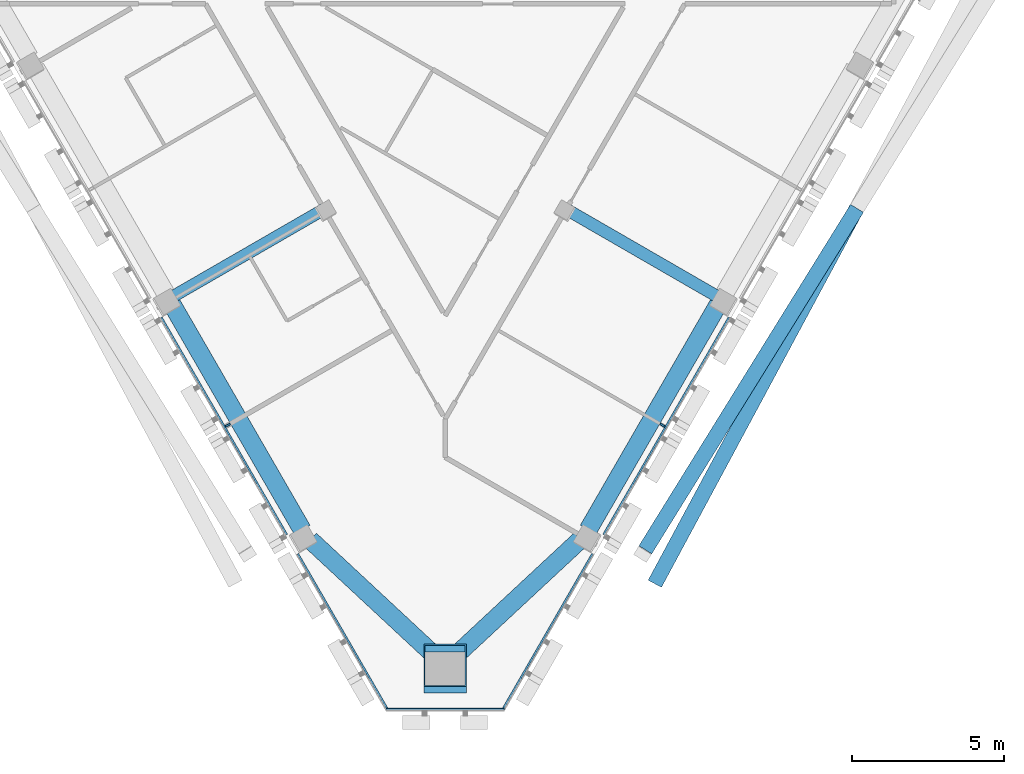
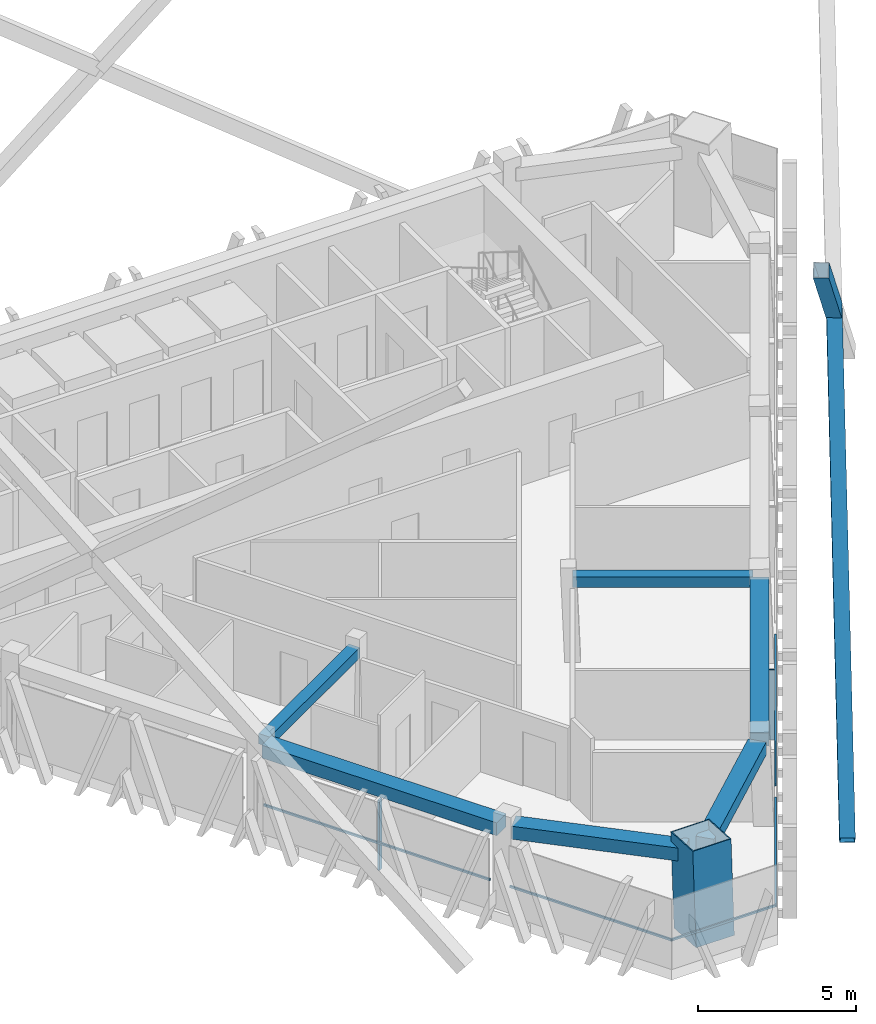
# One storey, part 2 of 12: 10 members, 6 beams, 3 elements without a shape of their own.
"""IFC4 building model written with IfcOpenShell, lengths in metres."""

import ifcopenshell
import ifcopenshell.guid

model = None  # the IFC model being written
_history = None  # IfcOwnerHistory: only IFC2X3 demands one
_inside = {}  # id of a spatial element -> (the spatial element, [elements in it])
_under = {}  # id of a project, library or spatial element -> (it, [spatial elements below it])
_declared = {}  # id of a project -> (the project, [libraries it declares])
_typed = {}  # id of a type object -> (the type object, [elements of that type])
_made_of = {}  # id of a material, layer set ... -> (it, [elements and type objects made of it])


def new_model(schema):
    """Start an empty IFC model of exactly this schema.

    Asked for "IFC4X3", IfcOpenShell would pick the latest addendum, in which some entities
    have other attributes; the version numbers below select the first issue.
    IFC2X3 requires an IfcOwnerHistory on every rooted entity: one is made here for all.
    """
    global model, _history
    if schema == "IFC4X3":
        model = ifcopenshell.file(schema_version=(4, 3, 0, 0))
    else:
        model = ifcopenshell.file(schema=schema)
    _inside.clear()
    _under.clear()
    _declared.clear()
    _typed.clear()
    _made_of.clear()
    _history = None
    if model.schema == "IFC2X3":
        org = make("IfcOrganization", Name="unknown")
        user = make(
            "IfcPersonAndOrganization",
            ThePerson=make("IfcPerson", FamilyName="unknown"),
            TheOrganization=org,
        )
        app = make(
            "IfcApplication",
            ApplicationDeveloper=org,
            Version="unknown",
            ApplicationFullName="unknown",
            ApplicationIdentifier="unknown",
        )
        _history = make(
            "IfcOwnerHistory",
            OwningUser=user,
            OwningApplication=app,
            ChangeAction="ADDED",
            CreationDate=0,
        )
    return model


def make(cls, **values):
    """One entity of the class cls with the attributes given. An attribute that is None is left unset."""
    return model.create_entity(
        cls, **{name: value for name, value in values.items() if value is not None}
    )


def rooted(cls, **values):
    """An entity with a GlobalId (a new one), such as an element, a storey or a relation."""
    return make(cls, GlobalId=ifcopenshell.guid.new(), OwnerHistory=_history, **values)


def si_unit(unit_type, name, prefix=None):
    """IfcSIUnit, for example si_unit("LENGTHUNIT", "METRE", prefix="MILLI")."""
    return make("IfcSIUnit", UnitType=unit_type, Prefix=prefix, Name=name)


def assignment(units):
    """IfcUnitAssignment: the units of a project."""
    return None if units is None else make("IfcUnitAssignment", Units=units)


def point(xyz):
    """IfcCartesianPoint."""
    return None if xyz is None else make("IfcCartesianPoint", Coordinates=xyz)


def direction(xyz):
    """IfcDirection."""
    return None if xyz is None else make("IfcDirection", DirectionRatios=xyz)


def frame(location, z_axis=None, x_axis=None):
    """IfcAxis2Placement3D, a coordinate frame: its origin and axes. An axis left out is left unset."""
    return make(
        "IfcAxis2Placement3D",
        Location=point(location),
        Axis=direction(z_axis),
        RefDirection=direction(x_axis),
    )


def frame_2d(location, x_axis=None):
    """IfcAxis2Placement2D, a coordinate frame in the plane: its origin and x axis."""
    return make(
        "IfcAxis2Placement2D", Location=point(location), RefDirection=direction(x_axis)
    )


def origin():
    """The frame at (0, 0, 0) with its axes left unset."""
    return frame((0.0, 0.0, 0.0))


def origin_2d():
    """The frame at (0, 0) in the plane with its x axis left unset."""
    return frame_2d((0.0, 0.0))


def place(relative_to, where):
    """IfcLocalPlacement: puts the frame where relative to a parent placement (None: the world)."""
    return make(
        "IfcLocalPlacement", PlacementRelTo=relative_to, RelativePlacement=where
    )


def context(
    kind, dimensions, precision=None, world=None, true_north=None, identifier=None
):
    """IfcGeometricRepresentationContext, for example the 3D "Model" context."""
    return make(
        "IfcGeometricRepresentationContext",
        ContextIdentifier=identifier,
        ContextType=kind,
        CoordinateSpaceDimension=dimensions,
        Precision=precision,
        WorldCoordinateSystem=world,
        TrueNorth=true_north,
    )


def subcontext(parent, identifier, kind, view, scale=None):
    """IfcGeometricRepresentationSubContext, for example "Body" below "Model"."""
    return make(
        "IfcGeometricRepresentationSubContext",
        ContextIdentifier=identifier,
        ContextType=kind,
        ParentContext=parent,
        TargetScale=scale,
        TargetView=view,
    )


def project(units=None, contexts=None):
    """IfcProject with its units and contexts."""
    return rooted(
        "IfcProject",
        Name="project",
        RepresentationContexts=contexts,
        UnitsInContext=assignment(units),
    )


def spatial(cls, under=None, at=None, **own):
    """A site, building, storey or space (cls), placed at a placement, below another one or the project."""
    s = rooted(cls, ObjectPlacement=at, **own)
    if under is not None:
        _under.setdefault(under.id(), (under, []))[1].append(s)
    return s


def profile(cls, at=None, kind="AREA", **sizes):
    """A parametric profile (cls). Its sizes go by their IFC names, for example OverallWidth=200.0."""
    return make(cls, ProfileType=kind, Position=at, **sizes)


def rectangle(**sizes):
    """IfcRectangleProfileDef."""
    return profile("IfcRectangleProfileDef", **sizes)


def hollow_rectangle(**sizes):
    """IfcRectangleHollowProfileDef."""
    return profile("IfcRectangleHollowProfileDef", **sizes)


def extrude(swept, where, along, depth):
    """IfcExtrudedAreaSolid: the profile swept, set in the frame where, extruded along a direction by depth."""
    return make(
        "IfcExtrudedAreaSolid",
        SweptArea=swept,
        Position=where,
        ExtrudedDirection=direction(along),
        Depth=depth,
    )


def shape(context_of_items, identifier, shape_type, items):
    """IfcShapeRepresentation: the items that make up one representation, for example the "Body"."""
    return make(
        "IfcShapeRepresentation",
        ContextOfItems=context_of_items,
        RepresentationIdentifier=identifier,
        RepresentationType=shape_type,
        Items=items,
    )


def material(Name=None, Category=None):
    """IfcMaterial."""
    return make("IfcMaterial", Name=Name, Category=Category)


def layer(
    of_material, thickness, ventilated=None, Name=None, Category=None, Priority=None
):
    """IfcMaterialLayer: one layer of a wall or slab, of a material (None: an air gap)."""
    return make(
        "IfcMaterialLayer",
        Material=of_material,
        LayerThickness=thickness,
        IsVentilated=ventilated,
        Name=Name,
        Category=Category,
        Priority=Priority,
    )


def layer_set(layers, Name=None):
    """IfcMaterialLayerSet."""
    return make("IfcMaterialLayerSet", MaterialLayers=layers, LayerSetName=Name)


def material_profile(
    of_material, cross_section, Name=None, Category=None, Priority=None
):
    """IfcMaterialProfile: a cross section and its material."""
    return make(
        "IfcMaterialProfile",
        Name=Name,
        Material=of_material,
        Profile=cross_section,
        Priority=Priority,
        Category=Category,
    )


def profile_set(profiles, Name=None, composite=None):
    """IfcMaterialProfileSet."""
    return make(
        "IfcMaterialProfileSet",
        Name=Name,
        MaterialProfiles=profiles,
        CompositeProfile=composite,
    )


def made_of(thing, what):
    """Note that an element or type object is made of a material, layer set ...; save() writes the relation."""
    if what is not None:
        _made_of.setdefault(what.id(), (what, []))[1].append(thing)
    return thing


def type_object(cls, material=None, **own):
    """A type object (cls), such as IfcWallType, which elements share."""
    return made_of(rooted(cls, **own), material)


def element(
    cls,
    number,
    at=None,
    inside=None,
    cuts=None,
    type_object=None,
    material=None,
    context=None,
    identifier="Body",
    shape_type=None,
    held_by="IfcProductDefinitionShape",
    body=None,
    shapes=None,
    **own,
):
    """One element of the class cls, such as IfcWall. Its Tag is "e" and its number.

    at: its placement. inside: the storey or other place that contains it. cuts: it is an
    opening in that element (IfcRelVoidsElement). A single representation is given by context,
    identifier, shape_type and body (its items); several are given by shapes. held_by: the class
    of the entity that holds the representations. save() writes the other relations.
    """
    e = rooted(cls, Tag="e%d" % number, ObjectPlacement=at, **own)
    if body is not None:
        shapes = [shape(context, identifier, shape_type, body)]
    if shapes is not None:
        e.Representation = make(held_by, Representations=shapes)
    if inside is not None:
        _inside.setdefault(inside.id(), (inside, []))[1].append(e)
    if cuts is not None:
        rooted(
            "IfcRelVoidsElement", RelatingBuildingElement=cuts, RelatedOpeningElement=e
        )
    if type_object is not None:
        _typed.setdefault(type_object.id(), (type_object, []))[1].append(e)
    return made_of(e, material)


def aggregate(whole, parts):
    """IfcRelAggregates: a whole, such as a stair, and the parts it consists of."""
    return rooted("IfcRelAggregates", RelatingObject=whole, RelatedObjects=parts)


def save(model, path):
    """Write the relations noted so far, then the file.

    IfcRelAggregates (storeys below a building ...), IfcRelContainedInSpatialStructure (elements
    in a storey), IfcRelDefinesByType, IfcRelAssociatesMaterial and IfcRelDeclares: one each for
    every whole, place, type object, material and project.
    """
    for whole, parts in _under.values():
        aggregate(whole, parts)
    for where, things in _inside.values():
        rooted(
            "IfcRelContainedInSpatialStructure",
            RelatedElements=things,
            RelatingStructure=where,
        )
    for kind, things in _typed.values():
        rooted("IfcRelDefinesByType", RelatedObjects=things, RelatingType=kind)
    for what, things in _made_of.values():
        rooted("IfcRelAssociatesMaterial", RelatedObjects=things, RelatingMaterial=what)
    for by, libraries in _declared.values():
        rooted("IfcRelDeclares", RelatingContext=by, RelatedDefinitions=libraries)
    model.write(path)


model = new_model("IFC4")

# Units and contexts
model_context = context("Model", 3, precision=1e-05, world=origin(), true_north=direction((0.0, 1.0)))
body_context = subcontext(model_context, "Body", "Model", "MODEL_VIEW")
ifc_project = project(units=[si_unit("LENGTHUNIT", "METRE"), si_unit("AREAUNIT", "SQUARE_METRE"), si_unit("VOLUMEUNIT", "CUBIC_METRE"), si_unit("PLANEANGLEUNIT", "RADIAN"), si_unit("MASSUNIT", "GRAM", prefix="KILO")], contexts=[model_context])

# Site, building, storey
site_placement = place(None, origin())
site = spatial("IfcSite", under=ifc_project, at=site_placement, CompositionType="ELEMENT")
building_placement = place(site_placement, origin())
building = spatial("IfcBuilding", under=site, at=building_placement, Name="Altiplano Prism Tower", CompositionType="ELEMENT")
storey_placement = place(building_placement, frame((0.0, 0.0, 313.0)))
storey = spatial("IfcBuildingStorey", under=building, at=storey_placement, Name="L81", CompositionType="ELEMENT", Elevation=313.0)

# Curtain wall, member
ifc_material_1 = material(Name="Aluminium and glass", Category="aluminium")
ifc_layer = layer(ifc_material_1, 0.280029296875)
ifc_layer_set = layer_set([ifc_layer], Name="Aluminium and glass")
curtain_wall_type = type_object("IfcCurtainWallType", Name="CW1 typical co-living unitised curtain wall", PredefinedType="NOTDEFINED", material=ifc_layer_set)
curtain_wall_1_placement = place(storey_placement, origin())
curtain_wall_1 = element("IfcCurtainWall", 1, at=curtain_wall_1_placement, inside=storey, type_object=curtain_wall_type, Name="CW1 curtain wall south-west face L81", PredefinedType="NOTDEFINED")
ifc_material_2 = material(Name="Aluminium", Category="aluminium")
ifc_material_profile_1 = material_profile(ifc_material_2, rectangle(XDim=0.179931640625, YDim=0.06494140625, at=origin_2d()), Name="CW1 mullion 65 x 180")
ifc_profile_set_1 = profile_set([ifc_material_profile_1], Name="Aluminium")
member_type_1 = type_object("IfcMemberType", Name="CW1 mullion 65 x 180", PredefinedType="MULLION", material=ifc_profile_set_1)
member_1_placement = place(storey_placement, frame((77.832763671875, 76.807373046875, 0.0), z_axis=(0.0, 0.0, 1.0), x_axis=(0.866025401463, 0.500000004021, 0.0)))
member_1 = element("IfcMember", 2, at=member_1_placement, type_object=member_type_1, Name="CW1 mullion", PredefinedType="MULLION", context=body_context, shape_type="SweptSolid", body=[
    extrude(rectangle(XDim=0.179931640625, YDim=0.06494140625, at=origin_2d()), origin(), (0.0, 0.0, 1.0), 2.699951171875),
])

curtain_wall_2_placement = place(storey_placement, origin())
curtain_wall_2 = element("IfcCurtainWall", 3, at=curtain_wall_2_placement, inside=storey, type_object=curtain_wall_type, Name="CW1 curtain wall south-east face L81", PredefinedType="NOTDEFINED")
member_2_placement = place(storey_placement, frame((92.167236328125, 76.807373046875, 0.0), z_axis=(0.0, 0.0, 1.0), x_axis=(-0.866025401463, 0.500000004021, 0.0)))
member_2 = element("IfcMember", 4, at=member_2_placement, type_object=member_type_1, Name="CW1 mullion", PredefinedType="MULLION", context=body_context, shape_type="SweptSolid", body=[
    extrude(rectangle(XDim=0.179931640625, YDim=0.06494140625, at=origin_2d()), origin(), (0.0, 0.0, 1.0), 2.699951171875),
])

# Member
ifc_material_profile_2 = material_profile(ifc_material_2, rectangle(XDim=0.06005859375, YDim=0.080078125, at=origin_2d()), Name="CW1 transom 80 x 60")
ifc_profile_set_2 = profile_set([ifc_material_profile_2], Name="Aluminium")
member_type_2 = type_object("IfcMemberType", Name="CW1 transom 80 x 60", PredefinedType="USERDEFINED", material=ifc_profile_set_2)
member_3_placement = place(storey_placement, frame((75.6416015625, 80.36279296875, 1.10009765625), z_axis=(0.499996734306, -0.866027289225, 0.0), x_axis=(0.866027289225, 0.499996734306, 0.0)))
member_3 = element("IfcMember", 5, at=member_3_placement, type_object=member_type_2, Name="CW1 transom", ObjectType="TRANSOM", PredefinedType="USERDEFINED", context=body_context, shape_type="SweptSolid", body=[
    extrude(rectangle(XDim=0.06005859375, YDim=0.080078125, at=origin_2d()), origin(), (0.0, 0.0, 1.0), 8.27001953125),
])

member_4_placement = place(storey_placement, frame((80.1416015625, 72.568359375, 1.10009765625), z_axis=(0.500020661261, -0.866013474671, 0.0), x_axis=(0.866013474671, 0.500020661261, 0.0)))
member_4 = element("IfcMember", 6, at=member_4_placement, type_object=member_type_2, Name="CW1 transom", ObjectType="TRANSOM", PredefinedType="USERDEFINED", context=body_context, shape_type="SweptSolid", body=[
    extrude(rectangle(XDim=0.06005859375, YDim=0.080078125, at=origin_2d()), origin(), (0.0, 0.0, 1.0), 5.952880859375),
])

aggregate(curtain_wall_1, [member_1, member_3, member_4])

# Curtain wall, member
curtain_wall_3_placement = place(storey_placement, origin())
curtain_wall_3 = element("IfcCurtainWall", 7, at=curtain_wall_3_placement, inside=storey, type_object=curtain_wall_type, Name="CW1 curtain wall south chamfer L81", PredefinedType="NOTDEFINED")
member_5_placement = place(storey_placement, frame((83.057373046875, 67.447998046875, 1.10009765625), z_axis=(1.0, 0.0, 0.0), x_axis=(0.0, 1.0, 0.0)))
member_5 = element("IfcMember", 8, at=member_5_placement, type_object=member_type_2, Name="CW1 transom", ObjectType="TRANSOM", PredefinedType="USERDEFINED", context=body_context, shape_type="SweptSolid", body=[
    extrude(rectangle(XDim=0.06005859375, YDim=0.080078125, at=origin_2d()), origin(), (0.0, 0.0, 1.0), 3.88525390625),
])
aggregate(curtain_wall_3, [member_5])

# Member
member_6_placement = place(storey_placement, frame((86.8818359375, 67.4130859375, 1.10009765625), z_axis=(0.500020661261, 0.866013474671, 0.0), x_axis=(-0.866013474671, 0.500020661261, 0.0)))
member_6 = element("IfcMember", 9, at=member_6_placement, type_object=member_type_2, Name="CW1 transom", ObjectType="TRANSOM", PredefinedType="USERDEFINED", context=body_context, shape_type="SweptSolid", body=[
    extrude(rectangle(XDim=0.06005859375, YDim=0.080078125, at=origin_2d()), origin(), (0.0, 0.0, 1.0), 5.952880859375),
])

member_7_placement = place(storey_placement, frame((90.223388671875, 73.20068359375, 1.10009765625), z_axis=(0.499996734306, 0.866027289225, 0.0), x_axis=(-0.866027289225, 0.499996734306, 0.0)))
member_7 = element("IfcMember", 10, at=member_7_placement, type_object=member_type_2, Name="CW1 transom", ObjectType="TRANSOM", PredefinedType="USERDEFINED", context=body_context, shape_type="SweptSolid", body=[
    extrude(rectangle(XDim=0.06005859375, YDim=0.080078125, at=origin_2d()), origin(), (0.0, 0.0, 1.0), 8.27001953125),
])

aggregate(curtain_wall_2, [member_6, member_2, member_7])

# Beams
ifc_material_3 = material(Name="Concrete C60/75", Category="concrete")
ifc_material_profile_3 = material_profile(ifc_material_3, rectangle(XDim=0.60009765625, YDim=0.5, at=origin_2d()), Name="Edge beam 600x500")
ifc_profile_set_3 = profile_set([ifc_material_profile_3], Name="Concrete C60/75")
beam_type_1 = type_object("IfcBeamType", Name="Edge beam 600x500", PredefinedType="SPANDREL", material=ifc_profile_set_3)
beam_1_placement = place(storey_placement, frame((75.990478515625, 80.795654296875, 2.949951171875), z_axis=(0.499990619765, -0.866030819398, 0.0), x_axis=(0.866030819398, 0.499990619765, 0.0)))
element("IfcBeam", 11, at=beam_1_placement, inside=storey, type_object=beam_type_1, Name="Edge beam P13-P14 L82", PredefinedType="SPANDREL", context=body_context, shape_type="SweptSolid", body=[
    extrude(rectangle(XDim=0.60009765625, YDim=0.5, at=origin_2d()), origin(), (0.0, 0.0, 1.0), 8.590087890625),
])
for number, where, z_axis, x_axis, name in (
    (12, (80.549072265625, 73.029052734375, 2.949951171875), (0.732170641479, -0.681121246003, 0.0), (0.681121246003, 0.732170641479, 0.0), "Edge beam P14-M1 L82"),
    (13, (85.32958984375, 69.195068359375, 2.949951171875), (0.732170641479, 0.681121246003, 0.0), (-0.681121246003, 0.732170641479, 0.0), "Edge beam M1-P21 L82"),
):
    element("IfcBeam", number, at=place(storey_placement, frame(where, z_axis=z_axis, x_axis=x_axis)), inside=storey, type_object=beam_type_1, Name=name, PredefinedType="SPANDREL", context=body_context, shape_type="SweptSolid", body=[
        extrude(rectangle(XDim=0.60009765625, YDim=0.5, at=origin_2d()), origin(), (0.0, 0.0, 1.0), 5.62890625),
    ])
beam_2_placement = place(storey_placement, frame((89.714599609375, 73.3564453125, 2.949951171875), z_axis=(0.499990619765, 0.866030819398, 0.0), x_axis=(-0.866030819398, 0.499990619765, 0.0)))
element("IfcBeam", 14, at=beam_2_placement, inside=storey, type_object=beam_type_1, Name="Edge beam P21-P22 L82", PredefinedType="SPANDREL", context=body_context, shape_type="SweptSolid", body=[
    extrude(rectangle(XDim=0.60009765625, YDim=0.5, at=origin_2d()), origin(), (0.0, 0.0, 1.0), 8.590087890625),
])

# Members
ifc_material_4 = material(Name="Steel S355", Category="steel")
ifc_material_profile_4 = material_profile(ifc_material_4, hollow_rectangle(XDim=0.5, YDim=0.5, WallThickness=0.02490234375, at=origin_2d()), Name="Mega brace Box 500x500x25")
ifc_profile_set_4 = profile_set([ifc_material_profile_4], Name="Steel S355")
member_type_3 = type_object("IfcMemberType", Name="Mega brace Box 500x500x25", PredefinedType="BRACE", material=ifc_profile_set_4)
member_8_placement = place(storey_placement, frame((91.987060546875, 71.71533203125, -0.75), z_axis=(0.371738044447, 0.69133656944, 0.619568054427), x_axis=(-0.880747542721, 0.47358607031, 0.0)))
element("IfcMember", 15, at=member_8_placement, inside=storey, type_object=member_type_3, Name="Mega brace 9.2.1", PredefinedType="BRACE", context=body_context, shape_type="SweptSolid", body=[
    extrude(hollow_rectangle(XDim=0.5, YDim=0.5, WallThickness=0.02490234375, at=origin_2d()), origin(), (0.0, 0.0, 1.0), 17.512451171875),
])
member_9_placement = place(storey_placement, frame((98.4970703125, 83.822265625, 10.10009765625), z_axis=(-0.407855730164, -0.657927544289, 0.633075864204), x_axis=(0.849937025119, -0.526884288371, 0.0)))
element("IfcMember", 16, at=member_9_placement, inside=storey, type_object=member_type_3, Name="Mega brace 9.2.4", PredefinedType="BRACE", context=body_context, shape_type="SweptSolid", body=[
    extrude(hollow_rectangle(XDim=0.5, YDim=0.5, WallThickness=0.02490234375, at=origin_2d()), origin(), (0.0, 0.0, 1.0), 17.11328125),
])
ifc_material_5 = material(Name="Steel S460", Category="steel")
ifc_material_profile_5 = material_profile(ifc_material_5, hollow_rectangle(XDim=1.39990234375, YDim=1.39990234375, WallThickness=0.0400390625, at=origin_2d()), Name="Mega column tube 1400")
ifc_profile_set_5 = profile_set([ifc_material_profile_5], Name="Steel S460")
member_type_4 = type_object("IfcMemberType", Name="Mega column tube 1400", PredefinedType="POST", material=ifc_profile_set_5)
member_10_placement = place(storey_placement, frame((85.0, 68.677978515625, 0.0), z_axis=(0.0, 0.058356907999, 0.998295783467), x_axis=(-1.0, 0.0, 0.0)))
element("IfcMember", 17, at=member_10_placement, inside=storey, type_object=member_type_4, Name="Mega column tube M1 L81", PredefinedType="POST", context=body_context, shape_type="SweptSolid", body=[
    extrude(hollow_rectangle(XDim=1.39990234375, YDim=1.39990234375, WallThickness=0.0400390625, at=origin_2d()), origin(), (0.0, 0.0, 1.0), 3.606201171875),
])

# Beams
ifc_material_profile_6 = material_profile(ifc_material_3, rectangle(XDim=0.39990234375, YDim=0.39990234375, at=origin_2d()), Name="Tie beam 400x400")
ifc_profile_set_6 = profile_set([ifc_material_profile_6], Name="Concrete C60/75")
beam_type_2 = type_object("IfcBeamType", Name="Tie beam 400x400", PredefinedType="BEAM", material=ifc_profile_set_6)
for number, where, z_axis, x_axis, name in (
    (18, (81.0146484375, 83.93310546875, 3.0), (-0.866026229868, -0.499998569178, 0.0), (0.499998569178, -0.866026229868, 0.0), "Tie beam I13 L82"),
    (19, (88.9853515625, 83.93310546875, 3.0), (0.866026229868, -0.499998569178, 0.0), (0.499998569178, 0.866026229868, 0.0), "Tie beam I22 L82"),
):
    element("IfcBeam", number, at=place(storey_placement, frame(where, z_axis=z_axis, x_axis=x_axis)), inside=storey, type_object=beam_type_2, Name=name, PredefinedType="BEAM", context=body_context, shape_type="SweptSolid", body=[
        extrude(rectangle(XDim=0.39990234375, YDim=0.39990234375, at=origin_2d()), origin(), (0.0, 0.0, 1.0), 5.71484375),
    ])

save(model, "model.ifc")
